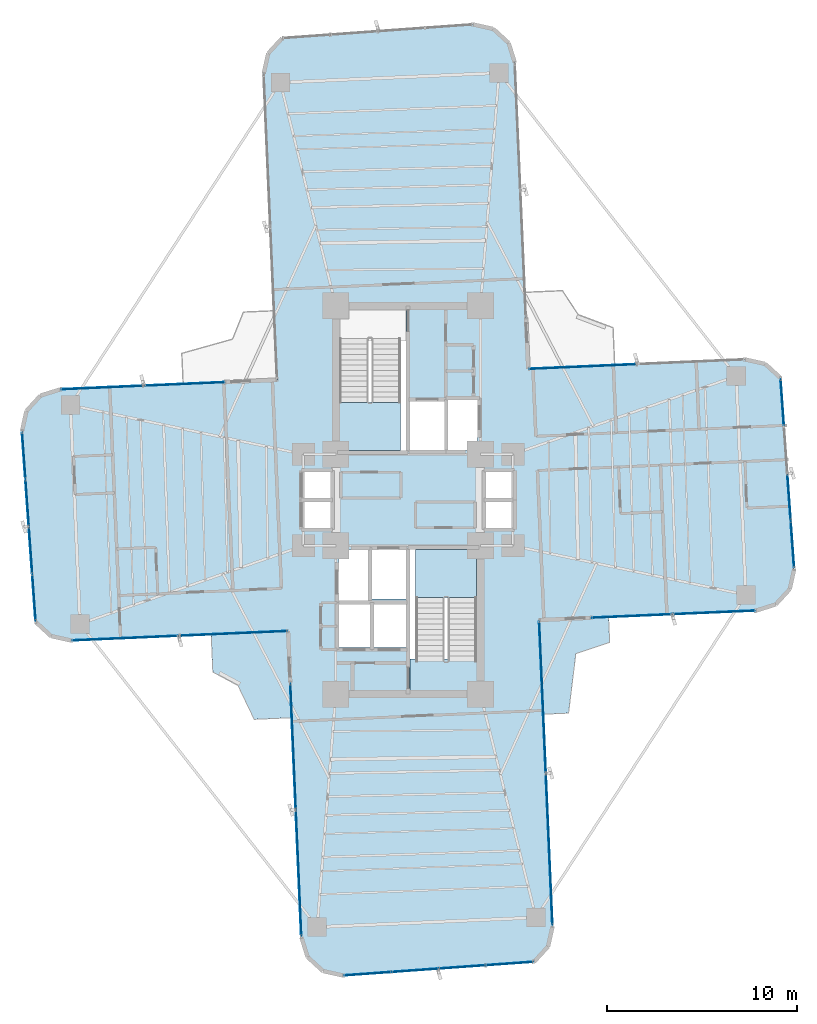
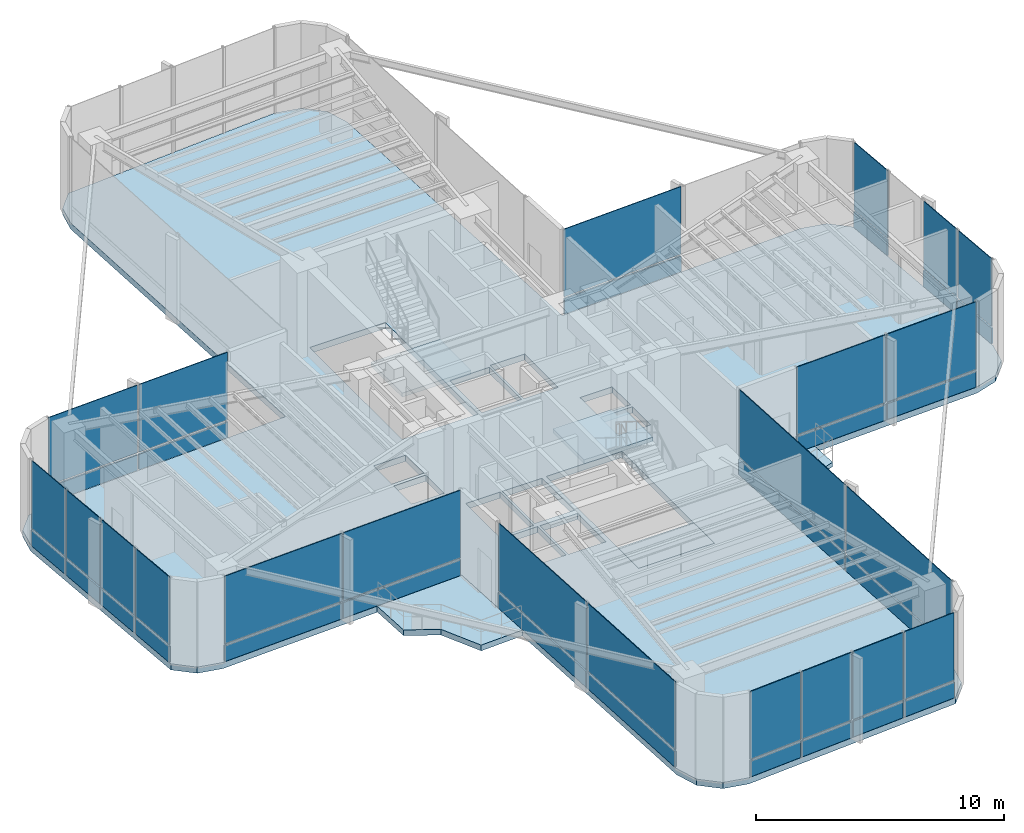
# One storey, part 15 of 23: 44 plates, 6 slabs, 11 elements without a shape of their own.
"""IFC4 building model written with IfcOpenShell, lengths in metres."""

from ifc_helpers import new_model, si_unit, direction, frame, origin, origin_2d, place, context, subcontext, project, spatial, polyline, rectangle, outline, extrude, source, transform, mapped, material, layer, layer_set, type_object, element, aggregate, save


model = new_model("IFC4")

# Units and contexts
model_context = context("Model", 3, precision=1e-05, world=origin(), true_north=direction((0.0, 1.0)))
body_context = subcontext(model_context, "Body", "Model", "MODEL_VIEW")
ifc_project = project(units=[si_unit("LENGTHUNIT", "METRE"), si_unit("AREAUNIT", "SQUARE_METRE"), si_unit("VOLUMEUNIT", "CUBIC_METRE"), si_unit("PLANEANGLEUNIT", "RADIAN"), si_unit("MASSUNIT", "GRAM", prefix="KILO")], contexts=[model_context])

# Site, building, storey
site_placement = place(None, origin())
site = spatial("IfcSite", under=ifc_project, at=site_placement, CompositionType="ELEMENT")
building_placement = place(site_placement, origin())
building = spatial("IfcBuilding", under=site, at=building_placement, Name="Sahyath Konkavel Grand Hotel", CompositionType="ELEMENT")
storey_placement = place(building_placement, frame((0.0, 0.0, 106.949951171875)))
storey = spatial("IfcBuildingStorey", under=building, at=storey_placement, Name="L29", CompositionType="ELEMENT", Elevation=106.949951171875)

# Slabs
ifc_material_1 = material(Name="Concrete C40/50", Category="concrete")
ifc_layer_1 = layer(ifc_material_1, 0.300048828125)
ifc_layer_set_1 = layer_set([ifc_layer_1], Name="Concrete C40/50")
slab_type_1 = type_object("IfcSlabType", Name="SLB-300", PredefinedType="FLOOR", material=ifc_layer_set_1)
slab_1_placement = place(storey_placement, frame((0.0, 0.0, -0.300048828125)))
element("IfcSlab", 1, at=slab_1_placement, inside=storey, type_object=slab_type_1, Name="L29 Structural Floor Slab", PredefinedType="FLOOR", context=body_context, shape_type="SweptSolid", body=[
    extrude(outline(polyline([(6.881591796875, -6.305908203125), (18.270751953125, -5.80859375), (19.3076171875, -5.481689453125), (20.0419921875, -4.68017578125), (20.277099609375, -3.618896484375), (19.5576171875, 6.4091796875), (18.75634765625, 7.1435546875), (17.695068359375, 7.37890625), (6.305908203125, 6.881591796875), (5.603515625, 22.96630859375), (5.276611328125, 24.0029296875), (4.47509765625, 24.7373046875), (3.4140625, 24.97265625), (-6.6142578125, 24.253173828125), (-7.3486328125, 23.451904296875), (-7.583984375, 22.390380859375), (-6.881591796875, 6.305908203125), (-18.270751953125, 5.80859375), (-19.3076171875, 5.481689453125), (-20.0419921875, 4.68017578125), (-20.277099609375, 3.618896484375), (-19.5576171875, -6.4091796875), (-18.75634765625, -7.1435546875), (-17.695068359375, -7.37890625), (-6.305908203125, -6.881591796875), (-5.603515625, -22.96630859375), (-5.276611328125, -24.0029296875), (-4.47509765625, -24.7373046875), (-3.4140625, -24.97265625), (6.6142578125, -24.253173828125), (7.3486328125, -23.451904296875), (7.583984375, -22.390380859375), (6.881591796875, -6.305908203125)]), holes=[polyline([(-3.6201171875, 2.580078125), (-0.10009765625, 2.580078125), (-0.10009765625, 10.02001953125), (-3.6201171875, 10.02001953125), (-3.6201171875, 2.580078125)]), polyline([(0.10009765625, -10.02001953125), (3.6201171875, -10.02001953125), (3.6201171875, -2.580078125), (0.10009765625, -2.580078125), (0.10009765625, -10.02001953125)]), polyline([(0.10009765625, 2.60009765625), (1.949951171875, 2.60009765625), (1.949951171875, 5.199951171875), (0.10009765625, 5.199951171875), (0.10009765625, 2.60009765625)]), polyline([(-1.949951171875, -5.199951171875), (-0.10009765625, -5.199951171875), (-0.10009765625, -2.60009765625), (-1.949951171875, -2.60009765625), (-1.949951171875, -5.199951171875)]), polyline([(2.050048828125, 2.60009765625), (3.64990234375, 2.60009765625), (3.64990234375, 5.300048828125), (2.050048828125, 5.300048828125), (2.050048828125, 2.60009765625)]), polyline([(-3.64990234375, -5.300048828125), (-2.050048828125, -5.300048828125), (-2.050048828125, -2.60009765625), (-3.64990234375, -2.60009765625), (-3.64990234375, -5.300048828125)]), polyline([(-3.64990234375, -7.75), (-1.949951171875, -7.75), (-1.949951171875, -5.449951171875), (-3.64990234375, -5.449951171875), (-3.64990234375, -7.75)]), polyline([(-1.85009765625, -7.75), (-0.10009765625, -7.75), (-0.10009765625, -5.449951171875), (-1.85009765625, -5.449951171875), (-1.85009765625, -7.75)]), polyline([(4.050048828125, 0.080078125), (5.550048828125, 0.080078125), (5.550048828125, 1.5400390625), (4.050048828125, 1.5400390625), (4.050048828125, 0.080078125)]), polyline([(4.050048828125, -1.5400390625), (5.550048828125, -1.5400390625), (5.550048828125, -0.080078125), (4.050048828125, -0.080078125), (4.050048828125, -1.5400390625)]), polyline([(-5.550048828125, 0.080078125), (-4.050048828125, 0.080078125), (-4.050048828125, 1.5400390625), (-5.550048828125, 1.5400390625), (-5.550048828125, 0.080078125)]), polyline([(-5.550048828125, -1.5400390625), (-4.050048828125, -1.5400390625), (-4.050048828125, -0.080078125), (-5.550048828125, -0.080078125), (-5.550048828125, -1.5400390625)])]), origin(), (0.0, 0.0, 1.0), 0.300048828125),
])
ifc_layer_2 = layer(ifc_material_1, 0.219970703125)
ifc_layer_set_2 = layer_set([ifc_layer_2], Name="Concrete C40/50")
slab_type_2 = type_object("IfcSlabType", Name="SLB-BALCONY-220", PredefinedType="FLOOR", material=ifc_layer_set_2)
slab_2_placement = place(storey_placement, frame((0.0, 0.0, -0.219970703125)))
element("IfcSlab", 2, at=slab_2_placement, inside=storey, type_object=slab_type_2, Name="L29 Winter-Garden Balcony SE", PredefinedType="FLOOR", context=body_context, shape_type="SweptSolid", body=[
    extrude(outline(polyline([(6.881591796875, -6.305908203125), (7.09765625, -11.252197265625), (8.427001953125, -11.194091796875), (8.80859375, -8.071533203125), (10.585205078125, -7.47607421875), (10.527099609375, -6.146728515625), (6.881591796875, -6.305908203125)])), origin(), (0.0, 0.0, 1.0), 0.219970703125),
])
ifc_layer_3 = layer(ifc_material_1, 0.280029296875)
ifc_layer_set_3 = layer_set([ifc_layer_3], Name="Concrete C40/50")
slab_type_3 = type_object("IfcSlabType", Name="SLB-SKYGARDEN-280", PredefinedType="ROOF", material=ifc_layer_set_3)
slab_3_placement = place(storey_placement, frame((0.0, 0.0, -0.280029296875)))
element("IfcSlab", 3, at=slab_3_placement, inside=storey, type_object=slab_type_3, Name="L29 Planted Sky Garden Terrace SW", PredefinedType="ROOF", context=body_context, shape_type="SweptSolid", body=[
    extrude(outline(polyline([(-6.305908203125, -6.881591796875), (-10.343994140625, -7.057861328125), (-10.257568359375, -9.035888671875), (-8.933349609375, -9.748779296875), (-8.085205078125, -11.521484375), (-6.10693359375, -11.435302734375), (-6.305908203125, -6.881591796875)])), origin(), (0.0, 0.0, 1.0), 0.280029296875),
])

# Stair, slab
stair_type = type_object("IfcStairType", Name="STR-ST16-450", PredefinedType="HALF_TURN_STAIR", material=ifc_material_1)
stair_1_placement = place(storey_placement, origin())
stair_1 = element("IfcStair", 4, at=stair_1_placement, inside=storey, type_object=stair_type, Name="L29 North Core Smokeproof Exit Stair ST-1", PredefinedType="HALF_TURN_STAIR")
ifc_layer_4 = layer(ifc_material_1, 0.199951171875)
ifc_layer_set_4 = layer_set([ifc_layer_4], Name="Concrete C40/50")
slab_type_4 = type_object("IfcSlabType", Name="SLB-STAIR-LND", PredefinedType="LANDING", material=ifc_layer_set_4)
slab_4_placement = place(storey_placement, frame((0.0, 0.0, 2.050048828125)))
slab_4 = element("IfcSlab", 5, at=slab_4_placement, type_object=slab_type_4, Name="ST-1 landing 1", PredefinedType="LANDING", context=body_context, shape_type="SweptSolid", body=[
    extrude(outline(polyline([(-3.60009765625, 5.1201171875), (-3.60009765625, 2.60009765625), (-0.39990234375, 2.60009765625), (-0.39990234375, 5.1201171875), (-3.60009765625, 5.1201171875)])), origin(), (0.0, 0.0, 1.0), 0.199951171875),
])
aggregate(stair_1, [slab_4])

stair_2_placement = place(storey_placement, origin())
stair_2 = element("IfcStair", 6, at=stair_2_placement, inside=storey, type_object=stair_type, Name="L29 South Core Smokeproof Exit Stair ST-2", PredefinedType="HALF_TURN_STAIR")
slab_5_placement = place(storey_placement, frame((0.0, 0.0, 2.050048828125)))
slab_5 = element("IfcSlab", 7, at=slab_5_placement, type_object=slab_type_4, Name="ST-2 landing 1", PredefinedType="LANDING", context=body_context, shape_type="SweptSolid", body=[
    extrude(outline(polyline([(3.60009765625, -5.1201171875), (3.60009765625, -2.60009765625), (0.39990234375, -2.60009765625), (0.39990234375, -5.1201171875), (3.60009765625, -5.1201171875)])), origin(), (0.0, 0.0, 1.0), 0.199951171875),
])
aggregate(stair_2, [slab_5])

# Slab
slab_6_placement = place(storey_placement, frame((0.0, 0.0, -0.199951171875)))
element("IfcSlab", 8, at=slab_6_placement, inside=storey, type_object=slab_type_4, Name="L29 Stair ST-2 Floor Landing Slab", PredefinedType="LANDING", context=body_context, shape_type="SweptSolid", body=[
    extrude(outline(polyline([(0.10009765625, -10.02001953125), (3.6201171875, -10.02001953125), (3.6201171875, -8.35009765625), (0.10009765625, -8.35009765625), (0.10009765625, -10.02001953125)])), origin(), (0.0, 0.0, 1.0), 0.199951171875),
])

# Curtain wall, plates
ifc_material_2 = material(Name="Anodised Bronze Aluminium & Low-E Glazing", Category="aluminium")
curtain_wall_type = type_object("IfcCurtainWallType", Name="CW-SKYLOBBY", PredefinedType="NOTDEFINED", material=ifc_material_2)
curtain_wall_1_placement = place(storey_placement, origin())
curtain_wall_1 = element("IfcCurtainWall", 9, at=curtain_wall_1_placement, inside=storey, type_object=curtain_wall_type, Name="L29 Unitised Curtain Wall F0", PredefinedType="NOTDEFINED")
ifc_material_3 = material(Name="Warm Buff Sandstone Cladding", Category="masonry")
ifc_layer_5 = layer(ifc_material_3, 0.074951171875)
ifc_layer_set_5 = layer_set([ifc_layer_5], Name="Warm Buff Sandstone Cladding")
plate_type_1 = type_object("IfcPlateType", Name="PNL-SPANDREL-STONE", PredefinedType="SHEET", material=ifc_layer_set_5)
shared_shape_1 = source(origin(), body_context, "Body", "SweptSolid", [
    extrude(rectangle(XDim=4.22998046875, YDim=0.074951171875, at=origin_2d()), origin(), (0.0, 0.0, 1.0), 0.77001953125),
])
plate_1_placement = place(storey_placement, frame((11.77197265625, -6.09228515625, 0.0400390625), z_axis=(0.0, 0.0, 1.0), x_axis=(0.999048982732, 0.043601950678, 0.0)))
plate_1 = element("IfcPlate", 10, at=plate_1_placement, type_object=plate_type_1, Name="L29 Sandstone Relief Spandrel Panel F0-0", PredefinedType="SHEET", context=body_context, shape_type="MappedRepresentation", body=[
    mapped(shared_shape_1, transform((0.0, 0.0, 0.0), scale=1.0)),
])
plate_2_placement = place(storey_placement, frame((16.077880859375, -5.904296875, 0.0400390625), z_axis=(0.0, 0.0, 1.0), x_axis=(0.999048982732, 0.043601950678, 0.0)))
plate_2 = element("IfcPlate", 11, at=plate_2_placement, type_object=plate_type_1, Name="L29 Sandstone Relief Spandrel Panel F0-1", PredefinedType="SHEET", context=body_context, shape_type="MappedRepresentation", body=[
    mapped(shared_shape_1, transform((0.0, 0.0, 0.0), scale=1.0)),
])

curtain_wall_2_placement = place(storey_placement, origin())
curtain_wall_2 = element("IfcCurtainWall", 12, at=curtain_wall_2_placement, inside=storey, type_object=curtain_wall_type, Name="L29 Unitised Curtain Wall F16", PredefinedType="NOTDEFINED")
plate_3_placement = place(storey_placement, frame((-11.77197265625, 6.09228515625, 0.0400390625), z_axis=(0.0, 0.0, 1.0), x_axis=(-0.999048982732, -0.043601950678, 0.0)))
plate_3 = element("IfcPlate", 13, at=plate_3_placement, type_object=plate_type_1, Name="L29 Sandstone Relief Spandrel Panel F16-0", PredefinedType="SHEET", context=body_context, shape_type="MappedRepresentation", body=[
    mapped(shared_shape_1, transform((0.0, 0.0, 0.0), scale=1.0)),
])
plate_4_placement = place(storey_placement, frame((-16.077880859375, 5.904296875, 0.0400390625), z_axis=(0.0, 0.0, 1.0), x_axis=(-0.999048982732, -0.043601950678, 0.0)))
plate_4 = element("IfcPlate", 14, at=plate_4_placement, type_object=plate_type_1, Name="L29 Sandstone Relief Spandrel Panel F16-1", PredefinedType="SHEET", context=body_context, shape_type="MappedRepresentation", body=[
    mapped(shared_shape_1, transform((0.0, 0.0, 0.0), scale=1.0)),
])

# Plate
ifc_material_4 = material(Name="Low-E Solar Control Double Glazing", Category="glass")
ifc_layer_6 = layer(ifc_material_4, 0.035888671875)
ifc_layer_set_6 = layer_set([ifc_layer_6], Name="Low-E Solar Control Double Glazing")
plate_type_2 = type_object("IfcPlateType", Name="PNL-VISION-LOWE", PredefinedType="CURTAIN_PANEL", material=ifc_layer_set_6)
shared_shape_2 = source(origin(), body_context, "Body", "SweptSolid", [
    extrude(rectangle(XDim=4.22998046875, YDim=0.035888671875, at=origin_2d()), origin(), (0.0, 0.0, 1.0), 3.330078125),
])
plate_5_placement = place(storey_placement, frame((11.77197265625, -6.09228515625, 0.889892578125), z_axis=(0.0, 0.0, 1.0), x_axis=(0.999048982732, 0.043601950678, 0.0)))
plate_5 = element("IfcPlate", 15, at=plate_5_placement, type_object=plate_type_2, Name="L29 Low-E Vision Glazing Panel F0-0", PredefinedType="CURTAIN_PANEL", context=body_context, shape_type="MappedRepresentation", body=[
    mapped(shared_shape_2, transform((0.0, 0.0, 0.0), scale=1.0)),
])

plate_6_placement = place(storey_placement, frame((16.077880859375, -5.904296875, 0.889892578125), z_axis=(0.0, 0.0, 1.0), x_axis=(0.999048982732, 0.043601950678, 0.0)))
plate_6 = element("IfcPlate", 16, at=plate_6_placement, type_object=plate_type_2, Name="L29 Low-E Vision Glazing Panel F0-1", PredefinedType="CURTAIN_PANEL", context=body_context, shape_type="MappedRepresentation", body=[
    mapped(shared_shape_2, transform((0.0, 0.0, 0.0), scale=1.0)),
])

aggregate(curtain_wall_1, [plate_1, plate_5, plate_2, plate_6])

plate_7_placement = place(storey_placement, frame((-11.77197265625, 6.09228515625, 0.889892578125), z_axis=(0.0, 0.0, 1.0), x_axis=(-0.999048982732, -0.043601950678, 0.0)))
plate_7 = element("IfcPlate", 17, at=plate_7_placement, type_object=plate_type_2, Name="L29 Low-E Vision Glazing Panel F16-0", PredefinedType="CURTAIN_PANEL", context=body_context, shape_type="MappedRepresentation", body=[
    mapped(shared_shape_2, transform((0.0, 0.0, 0.0), scale=1.0)),
])

plate_8_placement = place(storey_placement, frame((-16.077880859375, 5.904296875, 0.889892578125), z_axis=(0.0, 0.0, 1.0), x_axis=(-0.999048982732, -0.043601950678, 0.0)))
plate_8 = element("IfcPlate", 18, at=plate_8_placement, type_object=plate_type_2, Name="L29 Low-E Vision Glazing Panel F16-1", PredefinedType="CURTAIN_PANEL", context=body_context, shape_type="MappedRepresentation", body=[
    mapped(shared_shape_2, transform((0.0, 0.0, 0.0), scale=1.0)),
])

aggregate(curtain_wall_2, [plate_3, plate_7, plate_4, plate_8])

# Curtain wall, plates
curtain_wall_3_placement = place(storey_placement, origin())
curtain_wall_3 = element("IfcCurtainWall", 19, at=curtain_wall_3_placement, inside=storey, type_object=curtain_wall_type, Name="L29 Unitised Curtain Wall F4", PredefinedType="NOTDEFINED")
shared_shape_3 = source(origin(), body_context, "Body", "SweptSolid", [
    extrude(rectangle(XDim=2.41357421875, YDim=0.074951171875, at=origin_2d()), origin(), (0.0, 0.0, 1.0), 0.77001953125),
])
plate_9_placement = place(storey_placement, frame((20.18505859375, -2.335693359375, 0.0400390625), z_axis=(0.0, 0.0, 1.0), x_axis=(-0.071567078661, 0.997435789037, 0.0)))
plate_9 = element("IfcPlate", 20, at=plate_9_placement, type_object=plate_type_1, Name="L29 Sandstone Relief Spandrel Panel F4-0", PredefinedType="SHEET", context=body_context, shape_type="MappedRepresentation", body=[
    mapped(shared_shape_3, transform((0.0, 0.0, 0.0), scale=1.0)),
])
plate_10_placement = place(storey_placement, frame((20.006591796875, 0.151611328125, 0.0400390625), z_axis=(0.0, 0.0, 1.0), x_axis=(-0.071567078661, 0.997435789037, 0.0)))
plate_10 = element("IfcPlate", 21, at=plate_10_placement, type_object=plate_type_1, Name="L29 Sandstone Relief Spandrel Panel F4-1", PredefinedType="SHEET", context=body_context, shape_type="MappedRepresentation", body=[
    mapped(shared_shape_3, transform((0.0, 0.0, 0.0), scale=1.0)),
])
plate_11_placement = place(storey_placement, frame((19.64990234375, 5.125732421875, 0.0400390625), z_axis=(0.0, 0.0, 1.0), x_axis=(-0.071567078661, 0.997435789037, 0.0)))
plate_11 = element("IfcPlate", 22, at=plate_11_placement, type_object=plate_type_1, Name="L29 Sandstone Relief Spandrel Panel F4-3", PredefinedType="SHEET", context=body_context, shape_type="MappedRepresentation", body=[
    mapped(shared_shape_3, transform((0.0, 0.0, 0.0), scale=1.0)),
])

curtain_wall_4_placement = place(storey_placement, origin())
curtain_wall_4 = element("IfcCurtainWall", 23, at=curtain_wall_4_placement, inside=storey, type_object=curtain_wall_type, Name="L29 Unitised Curtain Wall F20", PredefinedType="NOTDEFINED")
plate_12_placement = place(storey_placement, frame((-20.18505859375, 2.335693359375, 0.0400390625), z_axis=(0.0, 0.0, 1.0), x_axis=(0.071567078661, -0.997435789037, 0.0)))
plate_12 = element("IfcPlate", 24, at=plate_12_placement, type_object=plate_type_1, Name="L29 Sandstone Relief Spandrel Panel F20-0", PredefinedType="SHEET", context=body_context, shape_type="MappedRepresentation", body=[
    mapped(shared_shape_3, transform((0.0, 0.0, 0.0), scale=1.0)),
])
plate_13_placement = place(storey_placement, frame((-20.006591796875, -0.151611328125, 0.0400390625), z_axis=(0.0, 0.0, 1.0), x_axis=(0.071567078661, -0.997435789037, 0.0)))
plate_13 = element("IfcPlate", 25, at=plate_13_placement, type_object=plate_type_1, Name="L29 Sandstone Relief Spandrel Panel F20-1", PredefinedType="SHEET", context=body_context, shape_type="MappedRepresentation", body=[
    mapped(shared_shape_3, transform((0.0, 0.0, 0.0), scale=1.0)),
])
plate_14_placement = place(storey_placement, frame((-19.828369140625, -2.638671875, 0.0400390625), z_axis=(0.0, 0.0, 1.0), x_axis=(0.071567078661, -0.997435789037, 0.0)))
plate_14 = element("IfcPlate", 26, at=plate_14_placement, type_object=plate_type_1, Name="L29 Sandstone Relief Spandrel Panel F20-2", PredefinedType="SHEET", context=body_context, shape_type="MappedRepresentation", body=[
    mapped(shared_shape_3, transform((0.0, 0.0, 0.0), scale=1.0)),
])
plate_15_placement = place(storey_placement, frame((-19.64990234375, -5.125732421875, 0.0400390625), z_axis=(0.0, 0.0, 1.0), x_axis=(0.071567078661, -0.997435789037, 0.0)))
plate_15 = element("IfcPlate", 27, at=plate_15_placement, type_object=plate_type_1, Name="L29 Sandstone Relief Spandrel Panel F20-3", PredefinedType="SHEET", context=body_context, shape_type="MappedRepresentation", body=[
    mapped(shared_shape_3, transform((0.0, 0.0, 0.0), scale=1.0)),
])

curtain_wall_5_placement = place(storey_placement, origin())
curtain_wall_5 = element("IfcCurtainWall", 28, at=curtain_wall_5_placement, inside=storey, type_object=curtain_wall_type, Name="L29 Unitised Curtain Wall F28", PredefinedType="NOTDEFINED")
plate_16_placement = place(storey_placement, frame((-2.130615234375, -24.880615234375, 0.0400390625), z_axis=(0.0, 0.0, 1.0), x_axis=(0.997435789037, 0.071567078661, 0.0)))
plate_16 = element("IfcPlate", 29, at=plate_16_placement, type_object=plate_type_1, Name="L29 Sandstone Relief Spandrel Panel F28-0", PredefinedType="SHEET", context=body_context, shape_type="MappedRepresentation", body=[
    mapped(shared_shape_3, transform((0.0, 0.0, 0.0), scale=1.0)),
])
plate_17_placement = place(storey_placement, frame((0.356689453125, -24.7021484375, 0.0400390625), z_axis=(0.0, 0.0, 1.0), x_axis=(0.997435789037, 0.071567078661, 0.0)))
plate_17 = element("IfcPlate", 30, at=plate_17_placement, type_object=plate_type_1, Name="L29 Sandstone Relief Spandrel Panel F28-1", PredefinedType="SHEET", context=body_context, shape_type="MappedRepresentation", body=[
    mapped(shared_shape_3, transform((0.0, 0.0, 0.0), scale=1.0)),
])
plate_18_placement = place(storey_placement, frame((2.84375, -24.523681640625, 0.0400390625), z_axis=(0.0, 0.0, 1.0), x_axis=(0.997435789037, 0.071567078661, 0.0)))
plate_18 = element("IfcPlate", 31, at=plate_18_placement, type_object=plate_type_1, Name="L29 Sandstone Relief Spandrel Panel F28-2", PredefinedType="SHEET", context=body_context, shape_type="MappedRepresentation", body=[
    mapped(shared_shape_3, transform((0.0, 0.0, 0.0), scale=1.0)),
])
plate_19_placement = place(storey_placement, frame((5.330810546875, -24.34521484375, 0.0400390625), z_axis=(0.0, 0.0, 1.0), x_axis=(0.997435789037, 0.071567078661, 0.0)))
plate_19 = element("IfcPlate", 32, at=plate_19_placement, type_object=plate_type_1, Name="L29 Sandstone Relief Spandrel Panel F28-3", PredefinedType="SHEET", context=body_context, shape_type="MappedRepresentation", body=[
    mapped(shared_shape_3, transform((0.0, 0.0, 0.0), scale=1.0)),
])

# Plate
shared_shape_4 = source(origin(), body_context, "Body", "SweptSolid", [
    extrude(rectangle(XDim=2.41357421875, YDim=0.035888671875, at=origin_2d()), origin(), (0.0, 0.0, 1.0), 3.330078125),
])
plate_20_placement = place(storey_placement, frame((20.18505859375, -2.335693359375, 0.889892578125), z_axis=(0.0, 0.0, 1.0), x_axis=(-0.071567078661, 0.997435789037, 0.0)))
plate_20 = element("IfcPlate", 33, at=plate_20_placement, type_object=plate_type_2, Name="L29 Low-E Vision Glazing Panel F4-0", PredefinedType="CURTAIN_PANEL", context=body_context, shape_type="MappedRepresentation", body=[
    mapped(shared_shape_4, transform((0.0, 0.0, 0.0), scale=1.0)),
])

plate_21_placement = place(storey_placement, frame((20.006591796875, 0.151611328125, 0.889892578125), z_axis=(0.0, 0.0, 1.0), x_axis=(-0.071567078661, 0.997435789037, 0.0)))
plate_21 = element("IfcPlate", 34, at=plate_21_placement, type_object=plate_type_2, Name="L29 Low-E Vision Glazing Panel F4-1", PredefinedType="CURTAIN_PANEL", context=body_context, shape_type="MappedRepresentation", body=[
    mapped(shared_shape_4, transform((0.0, 0.0, 0.0), scale=1.0)),
])

plate_22_placement = place(storey_placement, frame((19.64990234375, 5.125732421875, 0.889892578125), z_axis=(0.0, 0.0, 1.0), x_axis=(-0.071567078661, 0.997435789037, 0.0)))
plate_22 = element("IfcPlate", 35, at=plate_22_placement, type_object=plate_type_2, Name="L29 Low-E Vision Glazing Panel F4-3", PredefinedType="CURTAIN_PANEL", context=body_context, shape_type="MappedRepresentation", body=[
    mapped(shared_shape_4, transform((0.0, 0.0, 0.0), scale=1.0)),
])

aggregate(curtain_wall_3, [plate_9, plate_20, plate_10, plate_21, plate_11, plate_22])

plate_23_placement = place(storey_placement, frame((-20.18505859375, 2.335693359375, 0.889892578125), z_axis=(0.0, 0.0, 1.0), x_axis=(0.071567078661, -0.997435789037, 0.0)))
plate_23 = element("IfcPlate", 36, at=plate_23_placement, type_object=plate_type_2, Name="L29 Low-E Vision Glazing Panel F20-0", PredefinedType="CURTAIN_PANEL", context=body_context, shape_type="MappedRepresentation", body=[
    mapped(shared_shape_4, transform((0.0, 0.0, 0.0), scale=1.0)),
])

plate_24_placement = place(storey_placement, frame((-20.006591796875, -0.151611328125, 0.889892578125), z_axis=(0.0, 0.0, 1.0), x_axis=(0.071567078661, -0.997435789037, 0.0)))
plate_24 = element("IfcPlate", 37, at=plate_24_placement, type_object=plate_type_2, Name="L29 Low-E Vision Glazing Panel F20-1", PredefinedType="CURTAIN_PANEL", context=body_context, shape_type="MappedRepresentation", body=[
    mapped(shared_shape_4, transform((0.0, 0.0, 0.0), scale=1.0)),
])

plate_25_placement = place(storey_placement, frame((-19.828369140625, -2.638671875, 0.889892578125), z_axis=(0.0, 0.0, 1.0), x_axis=(0.071567078661, -0.997435789037, 0.0)))
plate_25 = element("IfcPlate", 38, at=plate_25_placement, type_object=plate_type_2, Name="L29 Low-E Vision Glazing Panel F20-2", PredefinedType="CURTAIN_PANEL", context=body_context, shape_type="MappedRepresentation", body=[
    mapped(shared_shape_4, transform((0.0, 0.0, 0.0), scale=1.0)),
])

plate_26_placement = place(storey_placement, frame((-19.64990234375, -5.125732421875, 0.889892578125), z_axis=(0.0, 0.0, 1.0), x_axis=(0.071567078661, -0.997435789037, 0.0)))
plate_26 = element("IfcPlate", 39, at=plate_26_placement, type_object=plate_type_2, Name="L29 Low-E Vision Glazing Panel F20-3", PredefinedType="CURTAIN_PANEL", context=body_context, shape_type="MappedRepresentation", body=[
    mapped(shared_shape_4, transform((0.0, 0.0, 0.0), scale=1.0)),
])

aggregate(curtain_wall_4, [plate_12, plate_23, plate_13, plate_24, plate_14, plate_25, plate_15, plate_26])

plate_27_placement = place(storey_placement, frame((-2.130615234375, -24.880615234375, 0.889892578125), z_axis=(0.0, 0.0, 1.0), x_axis=(0.997435789037, 0.071567078661, 0.0)))
plate_27 = element("IfcPlate", 40, at=plate_27_placement, type_object=plate_type_2, Name="L29 Low-E Vision Glazing Panel F28-0", PredefinedType="CURTAIN_PANEL", context=body_context, shape_type="MappedRepresentation", body=[
    mapped(shared_shape_4, transform((0.0, 0.0, 0.0), scale=1.0)),
])

plate_28_placement = place(storey_placement, frame((0.356689453125, -24.7021484375, 0.889892578125), z_axis=(0.0, 0.0, 1.0), x_axis=(0.997435789037, 0.071567078661, 0.0)))
plate_28 = element("IfcPlate", 41, at=plate_28_placement, type_object=plate_type_2, Name="L29 Low-E Vision Glazing Panel F28-1", PredefinedType="CURTAIN_PANEL", context=body_context, shape_type="MappedRepresentation", body=[
    mapped(shared_shape_4, transform((0.0, 0.0, 0.0), scale=1.0)),
])

plate_29_placement = place(storey_placement, frame((2.84375, -24.523681640625, 0.889892578125), z_axis=(0.0, 0.0, 1.0), x_axis=(0.997435789037, 0.071567078661, 0.0)))
plate_29 = element("IfcPlate", 42, at=plate_29_placement, type_object=plate_type_2, Name="L29 Low-E Vision Glazing Panel F28-2", PredefinedType="CURTAIN_PANEL", context=body_context, shape_type="MappedRepresentation", body=[
    mapped(shared_shape_4, transform((0.0, 0.0, 0.0), scale=1.0)),
])

plate_30_placement = place(storey_placement, frame((5.330810546875, -24.34521484375, 0.889892578125), z_axis=(0.0, 0.0, 1.0), x_axis=(0.997435789037, 0.071567078661, 0.0)))
plate_30 = element("IfcPlate", 43, at=plate_30_placement, type_object=plate_type_2, Name="L29 Low-E Vision Glazing Panel F28-3", PredefinedType="CURTAIN_PANEL", context=body_context, shape_type="MappedRepresentation", body=[
    mapped(shared_shape_4, transform((0.0, 0.0, 0.0), scale=1.0)),
])

aggregate(curtain_wall_5, [plate_16, plate_27, plate_17, plate_28, plate_18, plate_29, plate_19, plate_30])

# Curtain wall, plate
curtain_wall_6_placement = place(storey_placement, origin())
curtain_wall_6 = element("IfcCurtainWall", 44, at=curtain_wall_6_placement, inside=storey, type_object=curtain_wall_type, Name="L29 Unitised Curtain Wall F7", PredefinedType="NOTDEFINED")
shared_shape_5 = source(origin(), body_context, "Body", "SweptSolid", [
    extrude(rectangle(XDim=5.580078125, YDim=0.074951171875, at=origin_2d()), origin(), (0.0, 0.0, 1.0), 0.77001953125),
])
plate_31_placement = place(storey_placement, frame((9.173095703125, 7.0068359375, 0.0400390625), z_axis=(0.0, 0.0, 1.0), x_axis=(-0.999048221582, -0.043619387365, 0.0)))
plate_31 = element("IfcPlate", 45, at=plate_31_placement, type_object=plate_type_1, Name="L29 Sandstone Relief Spandrel Panel F7-1", PredefinedType="SHEET", context=body_context, shape_type="MappedRepresentation", body=[
    mapped(shared_shape_5, transform((0.0, 0.0, 0.0), scale=1.0)),
])

# Curtain wall, plates
curtain_wall_7_placement = place(storey_placement, origin())
curtain_wall_7 = element("IfcCurtainWall", 46, at=curtain_wall_7_placement, inside=storey, type_object=curtain_wall_type, Name="L29 Unitised Curtain Wall F23", PredefinedType="NOTDEFINED")
plate_32_placement = place(storey_placement, frame((-14.82763671875, -7.25390625, 0.0400390625), z_axis=(0.0, 0.0, 1.0), x_axis=(0.999048221582, 0.043619387365, 0.0)))
plate_32 = element("IfcPlate", 47, at=plate_32_placement, type_object=plate_type_1, Name="L29 Sandstone Relief Spandrel Panel F23-0", PredefinedType="SHEET", context=body_context, shape_type="MappedRepresentation", body=[
    mapped(shared_shape_5, transform((0.0, 0.0, 0.0), scale=1.0)),
])
plate_33_placement = place(storey_placement, frame((-9.173095703125, -7.0068359375, 0.0400390625), z_axis=(0.0, 0.0, 1.0), x_axis=(0.999048221582, 0.043619387365, 0.0)))
plate_33 = element("IfcPlate", 48, at=plate_33_placement, type_object=plate_type_1, Name="L29 Sandstone Relief Spandrel Panel F23-1", PredefinedType="SHEET", context=body_context, shape_type="MappedRepresentation", body=[
    mapped(shared_shape_5, transform((0.0, 0.0, 0.0), scale=1.0)),
])

# Plate
shared_shape_6 = source(origin(), body_context, "Body", "SweptSolid", [
    extrude(rectangle(XDim=5.580078125, YDim=0.035888671875, at=origin_2d()), origin(), (0.0, 0.0, 1.0), 3.330078125),
])
plate_34_placement = place(storey_placement, frame((9.173095703125, 7.0068359375, 0.889892578125), z_axis=(0.0, 0.0, 1.0), x_axis=(-0.999048221582, -0.043619387365, 0.0)))
plate_34 = element("IfcPlate", 49, at=plate_34_placement, type_object=plate_type_2, Name="L29 Low-E Vision Glazing Panel F7-1", PredefinedType="CURTAIN_PANEL", context=body_context, shape_type="MappedRepresentation", body=[
    mapped(shared_shape_6, transform((0.0, 0.0, 0.0), scale=1.0)),
])

aggregate(curtain_wall_6, [plate_31, plate_34])

plate_35_placement = place(storey_placement, frame((-14.82763671875, -7.25390625, 0.889892578125), z_axis=(0.0, 0.0, 1.0), x_axis=(0.999048221582, 0.043619387365, 0.0)))
plate_35 = element("IfcPlate", 50, at=plate_35_placement, type_object=plate_type_2, Name="L29 Low-E Vision Glazing Panel F23-0", PredefinedType="CURTAIN_PANEL", context=body_context, shape_type="MappedRepresentation", body=[
    mapped(shared_shape_6, transform((0.0, 0.0, 0.0), scale=1.0)),
])

plate_36_placement = place(storey_placement, frame((-9.173095703125, -7.0068359375, 0.889892578125), z_axis=(0.0, 0.0, 1.0), x_axis=(0.999048221582, 0.043619387365, 0.0)))
plate_36 = element("IfcPlate", 51, at=plate_36_placement, type_object=plate_type_2, Name="L29 Low-E Vision Glazing Panel F23-1", PredefinedType="CURTAIN_PANEL", context=body_context, shape_type="MappedRepresentation", body=[
    mapped(shared_shape_6, transform((0.0, 0.0, 0.0), scale=1.0)),
])

aggregate(curtain_wall_7, [plate_32, plate_35, plate_33, plate_36])

# Curtain wall, plates
curtain_wall_8_placement = place(storey_placement, origin())
curtain_wall_8 = element("IfcCurtainWall", 52, at=curtain_wall_8_placement, inside=storey, type_object=curtain_wall_type, Name="L29 Unitised Curtain Wall F24", PredefinedType="NOTDEFINED")
shared_shape_7 = source(origin(), body_context, "Body", "SweptSolid", [
    extrude(rectangle(XDim=6.580078125, YDim=0.074951171875, at=origin_2d()), origin(), (0.0, 0.0, 1.0), 0.77001953125),
])
plate_37_placement = place(storey_placement, frame((-6.041015625, -12.94580078125, 0.0400390625), z_axis=(0.0, 0.0, 1.0), x_axis=(0.043619387365, -0.999048221582, 0.0)))
plate_37 = element("IfcPlate", 53, at=plate_37_placement, type_object=plate_type_1, Name="L29 Sandstone Relief Spandrel Panel F24-0", PredefinedType="SHEET", context=body_context, shape_type="MappedRepresentation", body=[
    mapped(shared_shape_7, transform((0.0, 0.0, 0.0), scale=1.0)),
])
plate_38_placement = place(storey_placement, frame((-5.75048828125, -19.599609375, 0.0400390625), z_axis=(0.0, 0.0, 1.0), x_axis=(0.043619387365, -0.999048221582, 0.0)))
plate_38 = element("IfcPlate", 54, at=plate_38_placement, type_object=plate_type_1, Name="L29 Sandstone Relief Spandrel Panel F24-1", PredefinedType="SHEET", context=body_context, shape_type="MappedRepresentation", body=[
    mapped(shared_shape_7, transform((0.0, 0.0, 0.0), scale=1.0)),
])
shared_shape_8 = source(origin(), body_context, "Body", "SweptSolid", [
    extrude(rectangle(XDim=6.580078125, YDim=0.035888671875, at=origin_2d()), origin(), (0.0, 0.0, 1.0), 3.330078125),
])
plate_39_placement = place(storey_placement, frame((-6.041015625, -12.94580078125, 0.889892578125), z_axis=(0.0, 0.0, 1.0), x_axis=(0.043619387365, -0.999048221582, 0.0)))
plate_39 = element("IfcPlate", 55, at=plate_39_placement, type_object=plate_type_2, Name="L29 Low-E Vision Glazing Panel F24-0", PredefinedType="CURTAIN_PANEL", context=body_context, shape_type="MappedRepresentation", body=[
    mapped(shared_shape_8, transform((0.0, 0.0, 0.0), scale=1.0)),
])
plate_40_placement = place(storey_placement, frame((-5.75048828125, -19.599609375, 0.889892578125), z_axis=(0.0, 0.0, 1.0), x_axis=(0.043619387365, -0.999048221582, 0.0)))
plate_40 = element("IfcPlate", 56, at=plate_40_placement, type_object=plate_type_2, Name="L29 Low-E Vision Glazing Panel F24-1", PredefinedType="CURTAIN_PANEL", context=body_context, shape_type="MappedRepresentation", body=[
    mapped(shared_shape_8, transform((0.0, 0.0, 0.0), scale=1.0)),
])
aggregate(curtain_wall_8, [plate_37, plate_39, plate_38, plate_40])

curtain_wall_9_placement = place(storey_placement, origin())
curtain_wall_9 = element("IfcCurtainWall", 57, at=curtain_wall_9_placement, inside=storey, type_object=curtain_wall_type, Name="L29 Unitised Curtain Wall F31", PredefinedType="NOTDEFINED")
shared_shape_9 = source(origin(), body_context, "Body", "SweptSolid", [
    extrude(rectangle(XDim=7.929931640625, YDim=0.074951171875, at=origin_2d()), origin(), (0.0, 0.0, 1.0), 0.77001953125),
])
plate_41_placement = place(storey_placement, frame((7.407470703125, -18.349365234375, 0.0400390625), z_axis=(0.0, 0.0, 1.0), x_axis=(-0.043619387365, 0.999048221582, 0.0)))
plate_41 = element("IfcPlate", 58, at=plate_41_placement, type_object=plate_type_1, Name="L29 Sandstone Relief Spandrel Panel F31-0", PredefinedType="SHEET", context=body_context, shape_type="MappedRepresentation", body=[
    mapped(shared_shape_9, transform((0.0, 0.0, 0.0), scale=1.0)),
])
plate_42_placement = place(storey_placement, frame((7.05810546875, -10.346923828125, 0.0400390625), z_axis=(0.0, 0.0, 1.0), x_axis=(-0.043619387365, 0.999048221582, 0.0)))
plate_42 = element("IfcPlate", 59, at=plate_42_placement, type_object=plate_type_1, Name="L29 Sandstone Relief Spandrel Panel F31-1", PredefinedType="SHEET", context=body_context, shape_type="MappedRepresentation", body=[
    mapped(shared_shape_9, transform((0.0, 0.0, 0.0), scale=1.0)),
])
shared_shape_10 = source(origin(), body_context, "Body", "SweptSolid", [
    extrude(rectangle(XDim=7.929931640625, YDim=0.035888671875, at=origin_2d()), origin(), (0.0, 0.0, 1.0), 3.330078125),
])
plate_43_placement = place(storey_placement, frame((7.407470703125, -18.349365234375, 0.889892578125), z_axis=(0.0, 0.0, 1.0), x_axis=(-0.043619387365, 0.999048221582, 0.0)))
plate_43 = element("IfcPlate", 60, at=plate_43_placement, type_object=plate_type_2, Name="L29 Low-E Vision Glazing Panel F31-0", PredefinedType="CURTAIN_PANEL", context=body_context, shape_type="MappedRepresentation", body=[
    mapped(shared_shape_10, transform((0.0, 0.0, 0.0), scale=1.0)),
])
plate_44_placement = place(storey_placement, frame((7.05810546875, -10.346923828125, 0.889892578125), z_axis=(0.0, 0.0, 1.0), x_axis=(-0.043619387365, 0.999048221582, 0.0)))
plate_44 = element("IfcPlate", 61, at=plate_44_placement, type_object=plate_type_2, Name="L29 Low-E Vision Glazing Panel F31-1", PredefinedType="CURTAIN_PANEL", context=body_context, shape_type="MappedRepresentation", body=[
    mapped(shared_shape_10, transform((0.0, 0.0, 0.0), scale=1.0)),
])
aggregate(curtain_wall_9, [plate_41, plate_43, plate_42, plate_44])

save(model, "model.ifc")
